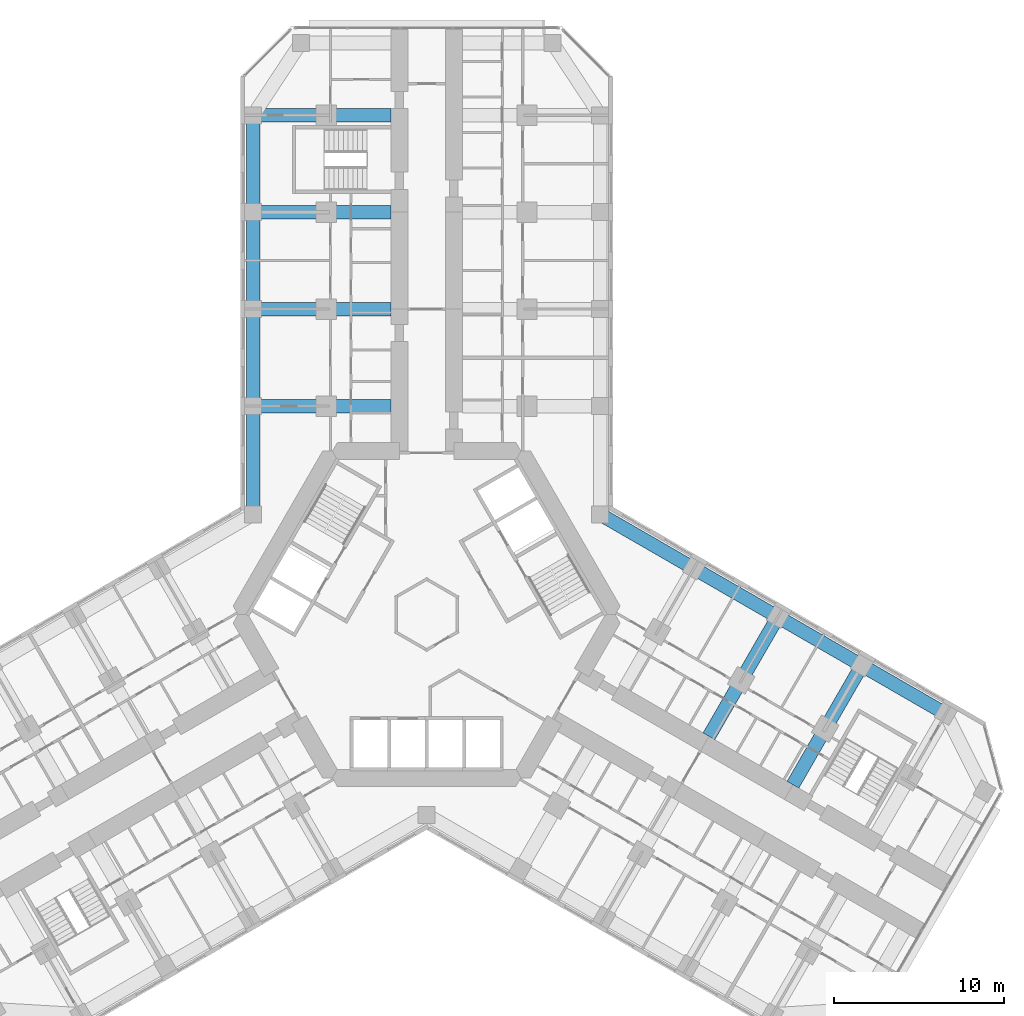
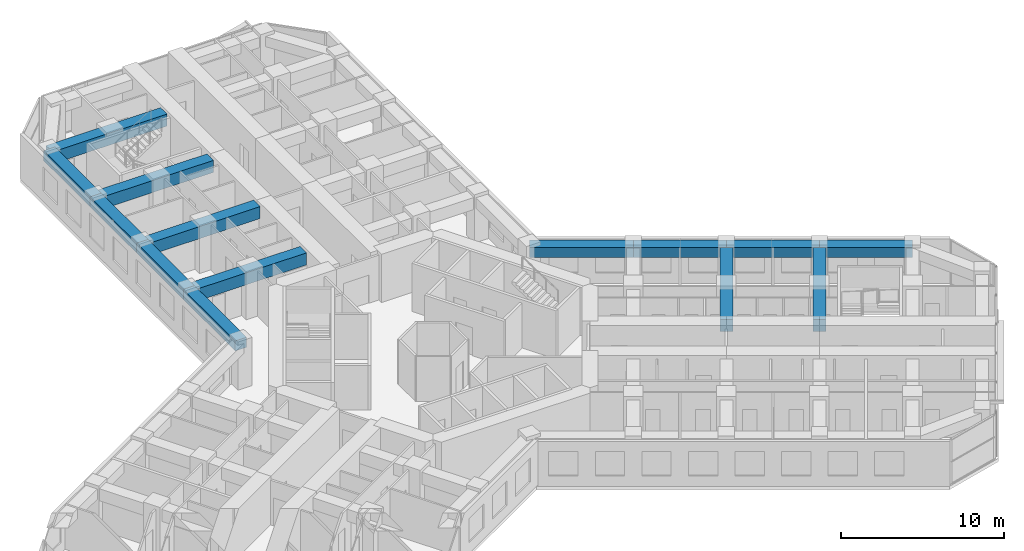
# One storey, part 6 of 21: 14 beams.
"""IFC4 building model written with IfcOpenShell, lengths in metres."""

from ifc_helpers import new_model, si_unit, direction, frame, origin, origin_2d, place, context, subcontext, project, spatial, rectangle, extrude, material, material_profile, profile_set, type_object, element, save


model = new_model("IFC4")

# Units and contexts
model_context = context("Model", 3, precision=1e-05, world=origin(), true_north=direction((0.0, 1.0)))
body_context = subcontext(model_context, "Body", "Model", "MODEL_VIEW")
ifc_project = project(units=[si_unit("LENGTHUNIT", "METRE"), si_unit("AREAUNIT", "SQUARE_METRE"), si_unit("VOLUMEUNIT", "CUBIC_METRE"), si_unit("PLANEANGLEUNIT", "RADIAN"), si_unit("MASSUNIT", "GRAM", prefix="KILO")], contexts=[model_context])

# Site, building, storey
site_placement = place(None, origin())
site = spatial("IfcSite", under=ifc_project, at=site_placement, CompositionType="ELEMENT")
building_placement = place(site_placement, origin())
building = spatial("IfcBuilding", under=site, at=building_placement, Name="Kosmar Iwan School Tower", CompositionType="ELEMENT")
storey_placement = place(building_placement, frame((0.0, 0.0, 57.39990234375)))
storey = spatial("IfcBuildingStorey", under=building, at=storey_placement, Name="L13", CompositionType="ELEMENT", Elevation=57.39990234375)

# Beams
ifc_material_1 = material(Name="Concrete C50/60", Category="concrete")
ifc_material_profile_1 = material_profile(ifc_material_1, rectangle(XDim=0.800048828125, YDim=0.75, at=origin_2d()), Name="RC 800x750")
ifc_profile_set_1 = profile_set([ifc_material_profile_1], Name="Concrete C50/60")
beam_type_1 = type_object("IfcBeamType", Name="RC edge beam 800x750", PredefinedType="BEAM", material=ifc_profile_set_1)
beam_1_placement = place(storey_placement, frame((-10.199951171875, 5.888916015625, 2.97509765625), z_axis=(0.0, 1.0, 0.0), x_axis=(-1.0, 0.0, 0.0)))
element("IfcBeam", 1, at=beam_1_placement, inside=storey, type_object=beam_type_1, Name="Edge beam AL1", PredefinedType="BEAM", context=body_context, shape_type="SweptSolid", body=[
    extrude(rectangle(XDim=0.800048828125, YDim=0.75, at=origin_2d()), origin(), (0.0, 0.0, 1.0), 6.361083984375),
])
for number, where, z_axis, x_axis, name in (
    (2, (-10.199951171875, 12.25, 2.97509765625), (0.0, 1.0, 0.0), (-1.0, 0.0, 0.0), "Edge beam AL2"),
    (3, (-10.199951171875, 17.949951171875, 2.97509765625), (0.0, 1.0, 0.0), (-1.0, 0.0, 0.0), "Edge beam AL3"),
):
    element("IfcBeam", number, at=place(storey_placement, frame(where, z_axis=z_axis, x_axis=x_axis)), inside=storey, type_object=beam_type_1, Name=name, PredefinedType="BEAM", context=body_context, shape_type="SweptSolid", body=[
        extrude(rectangle(XDim=0.800048828125, YDim=0.75, at=origin_2d()), origin(), (0.0, 0.0, 1.0), 5.699951171875),
    ])
beam_2_placement = place(storey_placement, frame((-10.199951171875, 23.64990234375, 2.97509765625), z_axis=(0.0, 1.0, 0.0), x_axis=(-1.0, 0.0, 0.0)))
element("IfcBeam", 4, at=beam_2_placement, inside=storey, type_object=beam_type_1, Name="Edge beam AL4", PredefinedType="BEAM", context=body_context, shape_type="SweptSolid", body=[
    extrude(rectangle(XDim=0.800048828125, YDim=0.75, at=origin_2d()), origin(), (0.0, 0.0, 1.0), 5.7001953125),
])
beam_3_placement = place(storey_placement, frame((10.199951171875, 5.888916015625, 2.97509765625), z_axis=(0.866030912664, -0.49999045822, 0.0), x_axis=(0.49999045822, 0.866030912664, 0.0)))
element("IfcBeam", 5, at=beam_3_placement, inside=storey, type_object=beam_type_1, Name="Edge beam CL1", PredefinedType="BEAM", context=body_context, shape_type="SweptSolid", body=[
    extrude(rectangle(XDim=0.800048828125, YDim=0.75, at=origin_2d()), origin(), (0.0, 0.0, 1.0), 6.36083984375),
])
beam_4_placement = place(storey_placement, frame((15.708740234375, 2.70849609375, 2.97509765625), z_axis=(0.866025820012, -0.499999279071, 0.0), x_axis=(0.499999279071, 0.866025820012, 0.0)))
element("IfcBeam", 6, at=beam_4_placement, inside=storey, type_object=beam_type_1, Name="Edge beam CL2", PredefinedType="BEAM", context=body_context, shape_type="SweptSolid", body=[
    extrude(rectangle(XDim=0.800048828125, YDim=0.75, at=origin_2d()), origin(), (0.0, 0.0, 1.0), 5.7001953125),
])
for number, where, z_axis, x_axis, name in (
    (7, (20.645263671875, -0.1416015625, 2.97509765625), (0.866033658841, -0.49998570155, 0.0), (0.49998570155, 0.866033658841, 0.0), "Edge beam CL3"),
    (8, (25.58154296875, -2.991455078125, 2.97509765625), (0.866015111908, -0.50001782563, 0.0), (0.50001782563, 0.866015111908, 0.0), "Edge beam CL4"),
):
    element("IfcBeam", number, at=place(storey_placement, frame(where, z_axis=z_axis, x_axis=x_axis)), inside=storey, type_object=beam_type_1, Name=name, PredefinedType="BEAM", context=body_context, shape_type="SweptSolid", body=[
        extrude(rectangle(XDim=0.800048828125, YDim=0.75, at=origin_2d()), origin(), (0.0, 0.0, 1.0), 5.699951171875),
    ])
ifc_material_2 = material(Name="Concrete C50/60", Category="concrete")
ifc_material_profile_2 = material_profile(ifc_material_2, rectangle(XDim=0.800048828125, YDim=0.89990234375, at=origin_2d()), Name="RC 800x900")
ifc_profile_set_2 = profile_set([ifc_material_profile_2], Name="Concrete C50/60")
beam_type_2 = type_object("IfcBeamType", Name="RC transverse beam 800x900", PredefinedType="BEAM", material=ifc_profile_set_2)
for number, where, z_axis, x_axis, name in (
    (9, (-10.199951171875, 12.25, 2.900146484375), (1.0, 0.0, 0.0), (0.0, 1.0, 0.0), "Transverse beam AL1"),
    (10, (-10.199951171875, 17.949951171875, 2.900146484375), (1.0, 0.0, 0.0), (0.0, 1.0, 0.0), "Transverse beam AL2"),
    (11, (-10.199951171875, 23.64990234375, 2.900146484375), (1.0, 0.0, 0.0), (0.0, 1.0, 0.0), "Transverse beam AL3"),
    (12, (-10.199951171875, 29.35009765625, 2.900146484375), (1.0, 0.0, 0.0), (0.0, 1.0, 0.0), "Transverse beam AL4"),
    (13, (20.645263671875, -0.1416015625, 2.900146484375), (-0.500012932018, -0.866017937352, 0.0), (0.866017937352, -0.500012932018, 0.0), "Transverse beam CL2"),
):
    element("IfcBeam", number, at=place(storey_placement, frame(where, z_axis=z_axis, x_axis=x_axis)), inside=storey, type_object=beam_type_2, Name=name, PredefinedType="BEAM", context=body_context, shape_type="SweptSolid", body=[
        extrude(rectangle(XDim=0.800048828125, YDim=0.89990234375, at=origin_2d()), origin(), (0.0, 0.0, 1.0), 8.099853515625),
    ])
beam_5_placement = place(storey_placement, frame((25.58154296875, -2.991455078125, 2.900146484375), z_axis=(-0.499999880539, -0.866025472755, 0.0), x_axis=(0.866025472755, -0.499999880539, 0.0)))
element("IfcBeam", 14, at=beam_5_placement, inside=storey, type_object=beam_type_2, Name="Transverse beam CL3", PredefinedType="BEAM", context=body_context, shape_type="SweptSolid", body=[
    extrude(rectangle(XDim=0.800048828125, YDim=0.89990234375, at=origin_2d()), origin(), (0.0, 0.0, 1.0), 8.10009765625),
])

save(model, "model.ifc")
